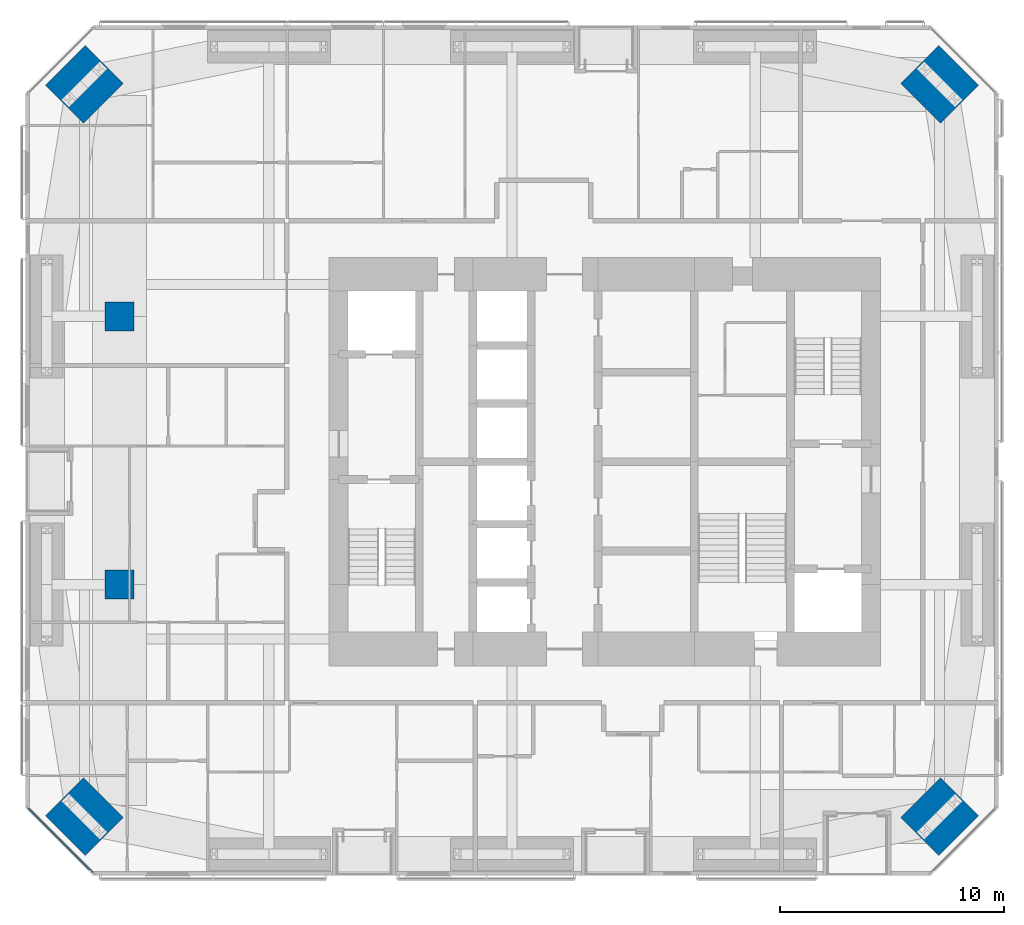
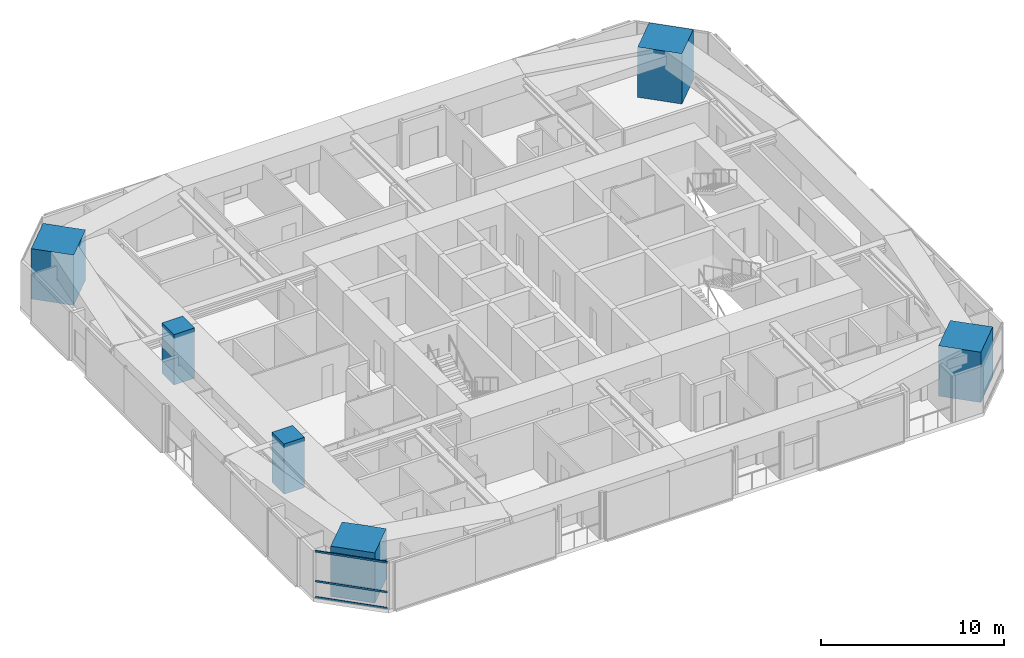
# One storey, part 1 of 23: 6 columns, 3 members, 1 element without a shape of its own.
"""IFC4 building model written with IfcOpenShell, lengths in metres."""

from ifc_helpers import new_model, si_unit, direction, frame, origin, origin_2d, place, context, subcontext, project, spatial, rectangle, extrude, material, material_profile, profile_set, type_object, element, aggregate, save


model = new_model("IFC4")

# Units and contexts
model_context = context("Model", 3, precision=1e-05, world=origin(), true_north=direction((0.0, 1.0)))
body_context = subcontext(model_context, "Body", "Model", "MODEL_VIEW")
ifc_project = project(units=[si_unit("LENGTHUNIT", "METRE"), si_unit("AREAUNIT", "SQUARE_METRE"), si_unit("VOLUMEUNIT", "CUBIC_METRE"), si_unit("PLANEANGLEUNIT", "RADIAN"), si_unit("MASSUNIT", "GRAM", prefix="KILO")], contexts=[model_context])

# Site, building, storey
site_placement = place(None, origin())
site = spatial("IfcSite", under=ifc_project, at=site_placement, CompositionType="ELEMENT")
building_placement = place(site_placement, origin())
building = spatial("IfcBuilding", under=site, at=building_placement, Name="Jalousie Tower", CompositionType="ELEMENT")
storey_placement = place(building_placement, frame((0.0, 0.0, 111.550048828125)))
storey = spatial("IfcBuildingStorey", under=building, at=storey_placement, Name="L30", CompositionType="ELEMENT", Elevation=111.550048828125)

# Columns
ifc_material_1 = material(Name="Concrete f'c 120 MPa", Category="concrete")
ifc_material_profile_1 = material_profile(ifc_material_1, rectangle(XDim=1.300048828125, YDim=1.300048828125, at=origin_2d()), Name="RC 1300x1300")
ifc_profile_set_1 = profile_set([ifc_material_profile_1], Name="Concrete f'c 120 MPa")
column_type_1 = type_object("IfcColumnType", Name="RC COLUMN 1300x1300", PredefinedType="COLUMN", material=ifc_profile_set_1)
for number, where, z_axis, x_axis, name in (
    (1, (10.199951171875, 13.0, 0.0), (0.0, 0.0, 1.0), (1.0, 0.0, 0.0), "Interior column IB1 L30"),
    (2, (10.199951171875, 25.0, 0.0), (0.0, 0.0, 1.0), (1.0, 0.0, 0.0), "Interior column IB2 L30"),
):
    element("IfcColumn", number, at=place(storey_placement, frame(where, z_axis=z_axis, x_axis=x_axis)), inside=storey, type_object=column_type_1, Name=name, PredefinedType="COLUMN", context=body_context, shape_type="SweptSolid", body=[
        extrude(rectangle(XDim=1.300048828125, YDim=1.300048828125, at=origin_2d()), origin(), (0.0, 0.0, 1.0), 3.349853515625),
    ])
ifc_material_2 = material(Name="Concrete f'c 120 MPa", Category="concrete")
ifc_material_profile_2 = material_profile(ifc_material_2, rectangle(XDim=2.39990234375, YDim=2.5, at=origin_2d()), Name="RC 2400x2500")
ifc_profile_set_2 = profile_set([ifc_material_profile_2], Name="Concrete f'c 120 MPa")
column_type_2 = type_object("IfcColumnType", Name="RC CORNER COLUMN 2400x2500", PredefinedType="COLUMN", material=ifc_profile_set_2)
for number, where, z_axis, x_axis, name in (
    (3, (8.63134765625, 2.63134765625, 0.0), (0.0, 0.0, 1.0), (0.707106781187, 0.707106781187, 0.0), "Corner column 01 L30"),
    (4, (46.86865234375, 2.63134765625, 0.0), (0.0, 0.0, 1.0), (-0.707106781187, 0.707106781187, 0.0), "Corner column 05 L30"),
    (5, (46.86865234375, 35.36865234375, 0.0), (0.0, 0.0, 1.0), (-0.707106781187, -0.707106781187, 0.0), "Corner column 08 L30"),
    (6, (8.63134765625, 35.36865234375, 0.0), (0.0, 0.0, 1.0), (0.707106781187, -0.707106781187, 0.0), "Corner column 12 L30"),
):
    element("IfcColumn", number, at=place(storey_placement, frame(where, z_axis=z_axis, x_axis=x_axis)), inside=storey, type_object=column_type_2, Name=name, PredefinedType="COLUMN", context=body_context, shape_type="SweptSolid", body=[
        extrude(rectangle(XDim=2.39990234375, YDim=2.5, at=origin_2d()), origin(), (0.0, 0.0, 1.0), 3.349853515625),
    ])

# Curtain wall, members
ifc_material_3 = material(Name="Aluminium curtain wall", Category="aluminium")
curtain_wall_type = type_object("IfcCurtainWallType", Name="CORNER WINDOW WALL", PredefinedType="USERDEFINED", material=ifc_material_3)
curtain_wall_placement = place(storey_placement, origin())
curtain_wall = element("IfcCurtainWall", 7, at=curtain_wall_placement, inside=storey, type_object=curtain_wall_type, Name="Corner Window Wall L30 8", ObjectType="CORNER WINDOW WALL", PredefinedType="USERDEFINED")
ifc_material_4 = material(Name="Aluminium transom", Category="aluminium")
ifc_material_profile_3 = material_profile(ifc_material_4, rectangle(XDim=0.06005859375, YDim=0.1201171875, at=origin_2d()), Name="TRANSOM 60x120")
ifc_profile_set_3 = profile_set([ifc_material_profile_3], Name="Aluminium transom")
member_type = type_object("IfcMemberType", Name="CORNER WINDOW WALL TRANSOM", PredefinedType="USERDEFINED", material=ifc_profile_set_3)
member_1_placement = place(storey_placement, frame((6.1298828125, 3.0087890625, 0.030029296875), z_axis=(0.707106781187, -0.707106781187, 0.0), x_axis=(0.707106781187, 0.707106781187, 0.0)))
member_1 = element("IfcMember", 8, at=member_1_placement, type_object=member_type, Name="CW-C transom 1.1", ObjectType="TRANSOM", PredefinedType="USERDEFINED", context=body_context, shape_type="SweptSolid", body=[
    extrude(rectangle(XDim=0.06005859375, YDim=0.1201171875, at=origin_2d()), origin(), (0.0, 0.0, 1.0), 4.0712890625),
])
member_2_placement = place(storey_placement, frame((6.1298828125, 3.0087890625, 1.099853515625), z_axis=(0.707106781187, -0.707106781187, 0.0), x_axis=(0.707106781187, 0.707106781187, 0.0)))
member_2 = element("IfcMember", 9, at=member_2_placement, type_object=member_type, Name="CW-C transom 1.2", ObjectType="TRANSOM", PredefinedType="USERDEFINED", context=body_context, shape_type="SweptSolid", body=[
    extrude(rectangle(XDim=0.06005859375, YDim=0.1201171875, at=origin_2d()), origin(), (0.0, 0.0, 1.0), 4.0712890625),
])
member_3_placement = place(storey_placement, frame((6.1298828125, 3.0087890625, 3.079833984375), z_axis=(0.707106781187, -0.707106781187, 0.0), x_axis=(0.707106781187, 0.707106781187, 0.0)))
member_3 = element("IfcMember", 10, at=member_3_placement, type_object=member_type, Name="CW-C transom 1.3", ObjectType="TRANSOM", PredefinedType="USERDEFINED", context=body_context, shape_type="SweptSolid", body=[
    extrude(rectangle(XDim=0.06005859375, YDim=0.1201171875, at=origin_2d()), origin(), (0.0, 0.0, 1.0), 4.0712890625),
])
aggregate(curtain_wall, [member_1, member_2, member_3])

save(model, "model.ifc")
